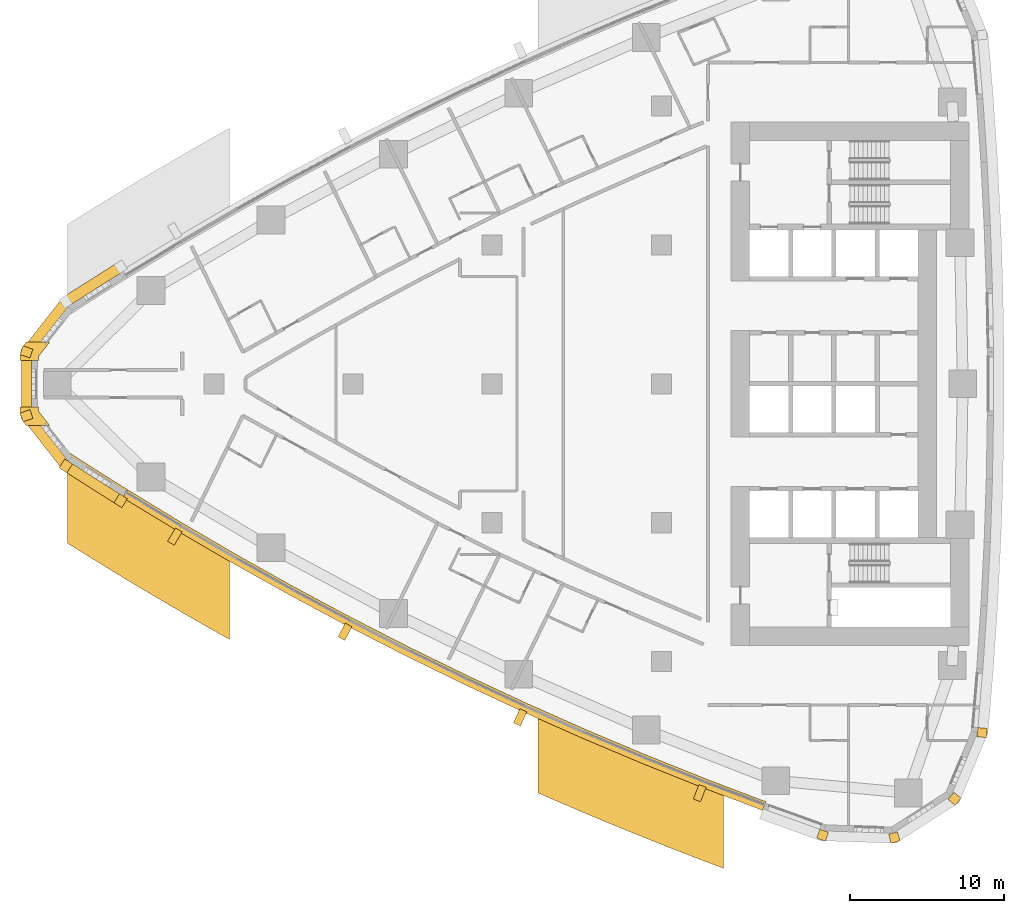
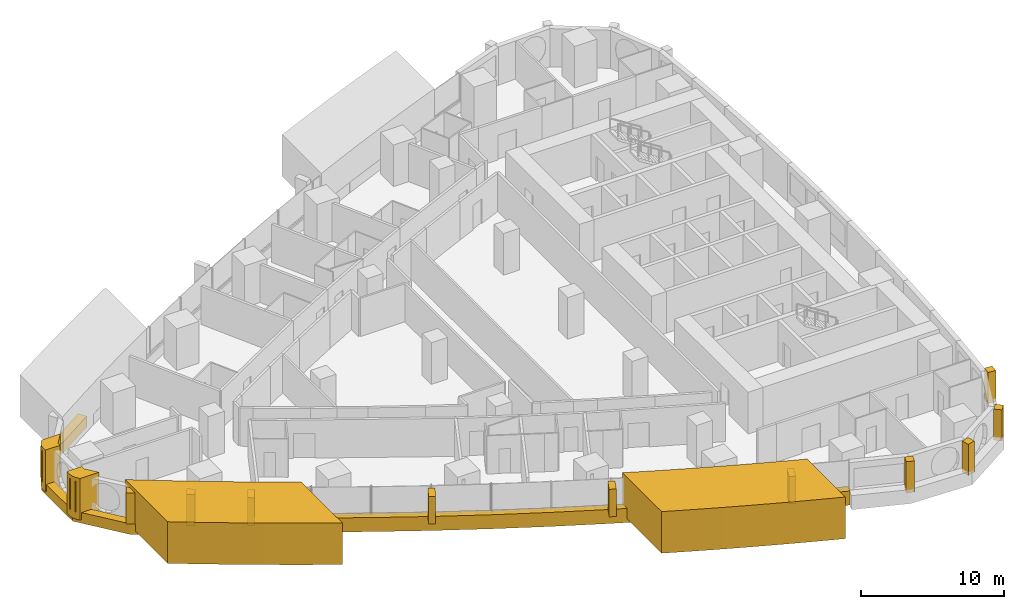
# One storey, part 15 of 19: 18 coverings.
"""IFC4 building model written with IfcOpenShell, lengths in metres."""

from ifc_helpers import new_model, si_unit, direction, frame, frame_2d, origin, place, context, subcontext, project, spatial, polyline, rectangle, outline, extrude, material, layer, layer_set, type_object, element, save


model = new_model("IFC4")

# Units and contexts
model_context = context("Model", 3, precision=1e-05, world=origin(), true_north=direction((0.0, 1.0)))
body_context = subcontext(model_context, "Body", "Model", "MODEL_VIEW")
ifc_project = project(units=[si_unit("LENGTHUNIT", "METRE"), si_unit("AREAUNIT", "SQUARE_METRE"), si_unit("VOLUMEUNIT", "CUBIC_METRE"), si_unit("PLANEANGLEUNIT", "RADIAN"), si_unit("MASSUNIT", "GRAM", prefix="KILO")], contexts=[model_context])

# Site, building, storey
site_placement = place(None, origin())
site = spatial("IfcSite", under=ifc_project, at=site_placement, CompositionType="ELEMENT")
building_placement = place(site_placement, origin())
building = spatial("IfcBuilding", under=site, at=building_placement, Name="Ostrand Prow Hotel Tower", CompositionType="ELEMENT")
storey_placement = place(building_placement, frame((0.0, 0.0, 43.14990234375)))
storey = spatial("IfcBuildingStorey", under=building, at=storey_placement, Name="L08", CompositionType="ELEMENT", Elevation=43.14990234375)

# Coverings
ifc_material_1 = material(Name="Bronze anodised aluminium cladding", Category="aluminium")
ifc_layer_1 = layer(ifc_material_1, 0.60009765625)
ifc_layer_set_1 = layer_set([ifc_layer_1], Name="Bronze anodised aluminium cladding")
covering_type_1 = type_object("IfcCoveringType", Name="Bronze prow band 899x600", PredefinedType="CLADDING", material=ifc_layer_set_1)
covering_1_placement = place(storey_placement, frame((0.0, 0.0, -0.2998046875)))
element("IfcCovering", 1, at=covering_1_placement, inside=storey, type_object=covering_type_1, Name="Bronze prow band", PredefinedType="CLADDING", context=body_context, shape_type="SweptSolid", body=[
    extrude(outline(polyline([(9.77734375, 7.864013671875), (6.2197265625, 5.6083984375), (3.53369140625, 2.178466796875), (3.53369140625, -2.178466796875), (6.2197265625, -5.6083984375), (9.77734375, -7.864013671875), (10.13623046875, -7.286376953125), (6.589111328125, -5.03759765625), (4.176513671875, -1.95654296875), (4.176513671875, 1.95654296875), (6.589111328125, 5.03759765625), (10.13623046875, 7.286376953125), (9.77734375, 7.864013671875)])), origin(), (0.0, 0.0, 1.0), 0.89990234375),
])
ifc_material_2 = material(Name="Bronze anodised aluminium cladding", Category="aluminium")
ifc_layer_2 = layer(ifc_material_2, 0.60009765625)
ifc_layer_set_2 = layer_set([ifc_layer_2], Name="Bronze anodised aluminium cladding")
covering_type_2 = type_object("IfcCoveringType", Name="Bronze spandrel band 1200x600", PredefinedType="CLADDING", material=ifc_layer_set_2)
covering_2_placement = place(storey_placement, frame((0.0, 0.0, -0.2998046875)))
element("IfcCovering", 2, at=covering_2_placement, inside=storey, type_object=covering_type_2, Name="Spandrel band S1", PredefinedType="CLADDING", context=body_context, shape_type="SweptSolid", body=[
    extrude(outline(polyline([(10.08349609375, -7.371337890625), (13.672607421875, -9.555419921875), (17.301513671875, -11.673095703125), (20.968994140625, -13.723876953125), (24.673095703125, -15.70654296875), (28.413330078125, -17.62060546875), (32.188232421875, -19.4658203125), (35.996337890625, -21.2412109375), (39.83642578125, -22.946044921875), (43.70751953125, -24.580078125), (47.607666015625, -26.142578125), (51.5361328125, -27.6328125), (51.743896484375, -27.070068359375), (47.82568359375, -25.58349609375), (43.935791015625, -24.025146484375), (40.074951171875, -22.3955078125), (36.244873046875, -20.695068359375), (32.44677734375, -18.92431640625), (28.681884765625, -17.083984375), (24.951416015625, -15.1748046875), (21.2568359375, -13.197509765625), (17.59912109375, -11.152099609375), (13.97998046875, -9.0400390625), (10.39990234375, -6.86181640625), (10.08349609375, -7.371337890625)])), origin(), (0.0, 0.0, 1.0), 1.199951171875),
])
ifc_material_3 = material(Name="Limestone cladding", Category="masonry")
ifc_layer_3 = layer(ifc_material_3, 5.0)
ifc_layer_set_3 = layer_set([ifc_layer_3], Name="Limestone cladding")
covering_type_3 = type_object("IfcCoveringType", Name="Portal jamb pilaster limestone", PredefinedType="CLADDING", material=ifc_layer_set_3)
covering_3_placement = place(storey_placement, origin())
element("IfcCovering", 3, at=covering_3_placement, inside=storey, type_object=covering_type_3, Name="Portal jamb SA L08", PredefinedType="CLADDING", context=body_context, shape_type="SweptSolid", body=[
    extrude(outline(polyline([(6.5, -4.3837890625), (6.5, -10.319580078125), (7.45458984375, -10.917724609375), (8.4091796875, -11.509521484375), (9.363525390625, -12.09521484375), (10.318115234375, -12.67431640625), (11.272705078125, -13.247314453125), (12.227294921875, -13.81396484375), (13.181884765625, -14.37451171875), (14.136474609375, -14.92919921875), (15.0908203125, -15.4775390625), (16.04541015625, -16.020263671875), (17.0, -16.556640625), (17.0, -10.80859375), (16.04541015625, -10.25634765625), (15.0908203125, -9.697998046875), (14.136474609375, -9.13330078125), (13.181884765625, -8.562255859375), (12.227294921875, -7.98486328125), (11.272705078125, -7.401123046875), (10.318115234375, -6.810791015625), (9.363525390625, -6.214111328125), (8.4091796875, -5.610595703125), (7.45458984375, -5.00048828125), (6.5, -4.3837890625)])), origin(), (0.0, 0.0, 1.0), 3.550048828125),
])
covering_4_placement = place(storey_placement, origin())
element("IfcCovering", 4, at=covering_4_placement, inside=storey, type_object=covering_type_3, Name="Portal jamb SB L08", PredefinedType="CLADDING", context=body_context, shape_type="SweptSolid", body=[
    extrude(outline(polyline([(37.0, -21.037109375), (37.0, -26.50927734375), (38.0, -26.945556640625), (39.0, -27.376220703125), (40.0, -27.801513671875), (41.0, -28.22119140625), (42.0, -28.635498046875), (43.0, -29.044189453125), (44.0, -29.447509765625), (45.0, -29.845703125), (46.0, -30.23828125), (47.0, -30.62548828125), (48.0, -31.0078125), (49.0, -31.384521484375), (49.0, -26.03759765625), (48.0, -25.6513671875), (47.0, -25.259765625), (46.0, -24.862548828125), (45.0, -24.459716796875), (44.0, -24.051513671875), (43.0, -23.637939453125), (42.0, -23.218505859375), (41.0, -22.793701171875), (40.0, -22.363037109375), (39.0, -21.9267578125), (38.0, -21.484619140625), (37.0, -21.037109375)])), origin(), (0.0, 0.0, 1.0), 3.550048828125),
])
ifc_material_4 = material(Name="Limestone cladding", Category="masonry")
ifc_layer_4 = layer(ifc_material_4, 0.5)
ifc_layer_set_4 = layer_set([ifc_layer_4], Name="Limestone cladding")
covering_type_4 = type_object("IfcCoveringType", Name="Precast stone fin 500x900", PredefinedType="CLADDING", material=ifc_layer_set_4)
for number, where, z_axis, x_axis, name in (
    (5, (13.723876953125, -9.469482421875, 0.900146484375), (0.0, 0.0, 1.0), (-0.511908673433, -0.859039876877, 0.0), "Stone fin S 2"),
    (6, (24.719482421875, -15.617919921875, 0.900146484375), (0.0, 0.0, 1.0), (-0.463642032659, -0.886022610068, 0.0), "Stone fin S 5"),
    (7, (36.037841796875, -21.150146484375, 0.900146484375), (0.0, 0.0, 1.0), (-0.414299516417, -0.910140599411, 0.0), "Stone fin S 8"),
    (8, (47.64404296875, -26.04931640625, 0.900146484375), (0.0, 0.0, 1.0), (-0.363294415892, -0.931674389141, 0.0), "Stone fin S 11"),
):
    element("IfcCovering", number, at=place(storey_placement, frame(where, z_axis=z_axis, x_axis=x_axis)), inside=storey, type_object=covering_type_4, Name=name, PredefinedType="CLADDING", context=body_context, shape_type="SweptSolid", body=[
        extrude(rectangle(XDim=1.0, YDim=0.5, at=frame_2d((0.5, 0.0))), origin(), (0.0, 0.0, 1.0), 2.349853515625),
    ])
ifc_material_5 = material(Name="Limestone cladding", Category="masonry")
ifc_layer_5 = layer(ifc_material_5, 0.60009765625)
ifc_layer_set_5 = layer_set([ifc_layer_5], Name="Limestone cladding")
covering_type_5 = type_object("IfcCoveringType", Name="Precast stone prow rib 600x600", PredefinedType="CLADDING", material=ifc_layer_set_5)
for number, where, z_axis, x_axis, name in (
    (9, (4.176513671875, 1.95654296875, 0.60009765625), (0.0, 0.0, 1.0), (-0.945254650653, 0.326333641262, 0.0), "Stone prow rib 3"),
    (10, (4.176513671875, -1.95654296875, 0.60009765625), (0.0, 0.0, 1.0), (-0.945254650653, -0.326333641262, 0.0), "Stone prow rib 4"),
    (11, (6.589111328125, -5.03759765625, 0.60009765625), (0.0, 0.0, 1.0), (-0.543295944087, -0.839541253983, 0.0), "Stone prow rib 5"),
    (12, (10.13623046875, -7.286376953125, 0.60009765625), (0.0, 0.0, 1.0), (-0.527738148304, -0.849407114889, 0.0), "Stone prow rib 6"),
):
    element("IfcCovering", number, at=place(storey_placement, frame(where, z_axis=z_axis, x_axis=x_axis)), inside=storey, type_object=covering_type_5, Name=name, PredefinedType="CLADDING", context=body_context, shape_type="SweptSolid", body=[
        extrude(rectangle(XDim=0.679931640625, YDim=0.60009765625, at=frame_2d((0.33984375, 0.0))), origin(), (0.0, 0.0, 1.0), 2.64990234375),
    ])
for number, where, z_axis, x_axis, name in (
    (13, (55.524169921875, -28.956298828125, 0.60009765625), (0.0, 0.0, 1.0), (-0.328773122904, -0.94440893349, 0.0), "Stone corner rib 2a"),
    (14, (59.98681640625, -29.1025390625, 0.60009765625), (0.0, 0.0, 1.0), (0.266111535611, -0.963942244439, 0.0), "Stone corner rib 3a"),
    (15, (63.74169921875, -26.6865234375, 0.60009765625), (0.0, 0.0, 1.0), (0.766985844654, -0.641664019639, 0.0), "Stone corner rib 4a"),
    (16, (65.4580078125, -22.564453125, 0.60009765625), (0.0, 0.0, 1.0), (0.995724747837, -0.09237005221, 0.0), "Stone corner rib 4b"),
):
    element("IfcCovering", number, at=place(storey_placement, frame(where, z_axis=z_axis, x_axis=x_axis)), inside=storey, type_object=covering_type_5, Name=name, PredefinedType="CLADDING", context=body_context, shape_type="SweptSolid", body=[
        extrude(rectangle(XDim=0.60009765625, YDim=0.60009765625, at=frame_2d((0.300048828125, 0.0))), origin(), (0.0, 0.0, 1.0), 2.64990234375),
    ])
ifc_material_6 = material(Name="Limestone cladding", Category="masonry")
ifc_layer_6 = layer(ifc_material_6, 3.0)
ifc_layer_set_6 = layer_set([ifc_layer_6], Name="Limestone cladding")
covering_type_6 = type_object("IfcCoveringType", Name="Prow nose pier limestone", PredefinedType="CLADDING", material=ifc_layer_set_6)
covering_5_placement = place(storey_placement, origin())
element("IfcCovering", 17, at=covering_5_placement, inside=storey, type_object=covering_type_6, Name="Prow spine fin N L08", PredefinedType="CLADDING", context=body_context, shape_type="SweptSolid", body=[
    extrude(outline(polyline([(3.44921875, 1.793701171875), (3.44921875, 1.5), (4.649169921875, 1.5), (4.649169921875, 1.793701171875), (5.35888671875, 2.699951171875), (3.834716796875, 2.699951171875), (3.704345703125, 2.533447265625), (3.638427734375, 2.440673828125), (3.581787109375, 2.341796875), (3.53466796875, 2.23828125), (3.49755859375, 2.130615234375), (3.470703125, 2.02001953125), (3.45458984375, 1.9072265625), (3.44921875, 1.793701171875)])), origin(), (0.0, 0.0, 1.0), 3.550048828125),
])
covering_6_placement = place(storey_placement, origin())
element("IfcCovering", 18, at=covering_6_placement, inside=storey, type_object=covering_type_6, Name="Prow spine fin S L08", PredefinedType="CLADDING", context=body_context, shape_type="SweptSolid", body=[
    extrude(outline(polyline([(3.704345703125, -2.533447265625), (3.834716796875, -2.699951171875), (5.35888671875, -2.699951171875), (4.649169921875, -1.793701171875), (4.649169921875, -1.5), (3.44921875, -1.5), (3.44921875, -1.793701171875), (3.45458984375, -1.9072265625), (3.470703125, -2.02001953125), (3.49755859375, -2.130615234375), (3.53466796875, -2.23828125), (3.581787109375, -2.341796875), (3.638427734375, -2.440673828125), (3.704345703125, -2.533447265625)])), origin(), (0.0, 0.0, 1.0), 3.550048828125),
])

save(model, "model.ifc")
